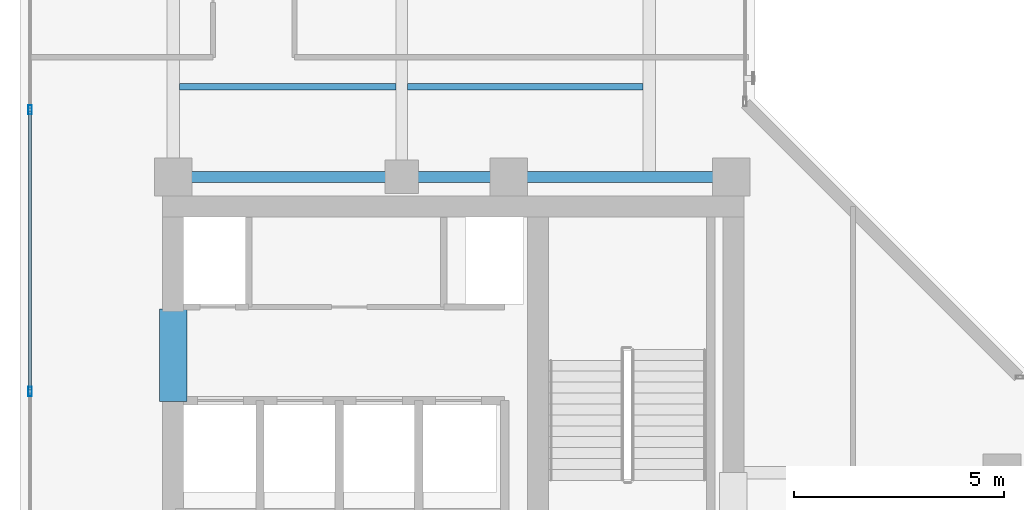
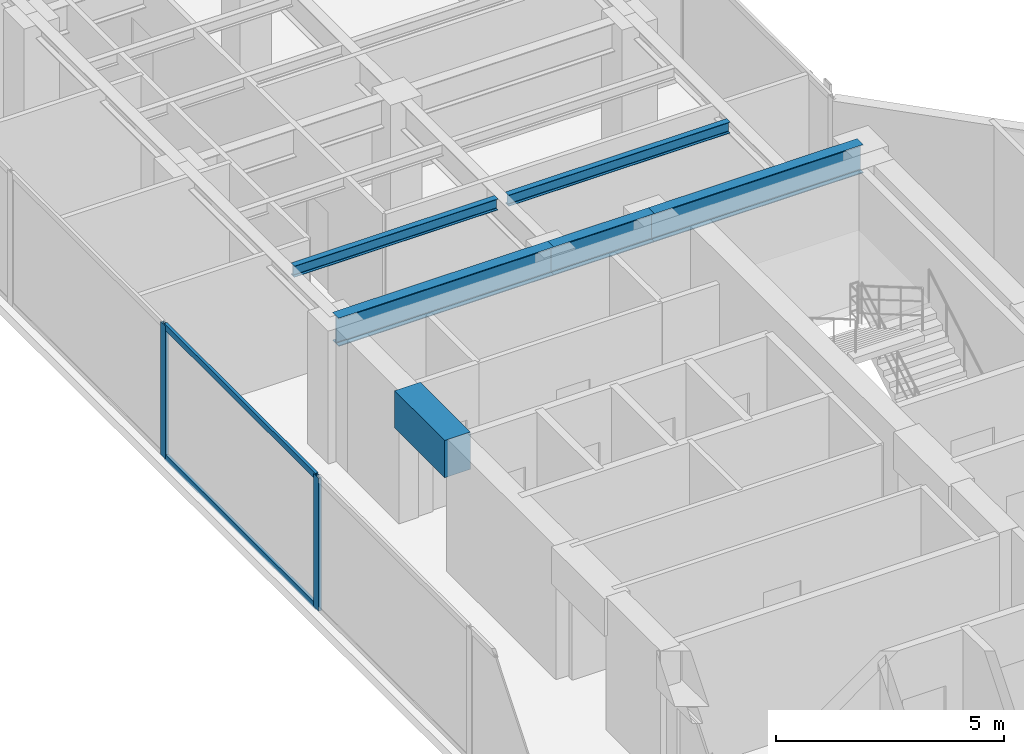
# One storey, part 7 of 24: 6 beams, 4 members, 1 element without a shape of its own.
"""IFC4 building model written with IfcOpenShell, lengths in metres."""

from ifc_helpers import new_model, si_unit, direction, frame, origin, origin_with_axes, origin_2d, place, context, subcontext, project, spatial, rectangle, hollow_rectangle, i_section, extrude, source, transform, mapped, material, layer, layer_set, material_profile, profile_set, type_object, element, aggregate, save


model = new_model("IFC4")

# Units and contexts
model_context = context("Model", 3, precision=1e-05, world=origin(), true_north=direction((0.0, 1.0)))
body_context = subcontext(model_context, "Body", "Model", "MODEL_VIEW")
ifc_project = project(units=[si_unit("LENGTHUNIT", "METRE"), si_unit("AREAUNIT", "SQUARE_METRE"), si_unit("VOLUMEUNIT", "CUBIC_METRE"), si_unit("PLANEANGLEUNIT", "RADIAN"), si_unit("MASSUNIT", "GRAM", prefix="KILO")], contexts=[model_context])

# Site, building, storey
site_placement = place(None, origin())
site = spatial("IfcSite", under=ifc_project, at=site_placement, CompositionType="ELEMENT")
building_placement = place(site_placement, origin())
building = spatial("IfcBuilding", under=site, at=building_placement, Name="Kolvaren Waterfront Exchange", CompositionType="ELEMENT")
storey_placement = place(building_placement, frame((0.0, 0.0, 293.199951171875)))
storey = spatial("IfcBuildingStorey", under=building, at=storey_placement, Name="L75", CompositionType="ELEMENT", Elevation=293.199951171875)

# Beams
ifc_material_1 = material(Name="Steel S355", Category="steel")
ifc_material_profile_1 = material_profile(ifc_material_1, i_section(OverallWidth=0.14990234375, OverallDepth=0.300048828125, WebThickness=0.007080078125, FlangeThickness=0.0107421875, FilletRadius=0.014892578125, at=origin_2d()), Name="IPE300")
ifc_profile_set_1 = profile_set([ifc_material_profile_1], Name="Steel S355")
beam_type_1 = type_object("IfcBeamType", Name="STR-BM-IPE300", PredefinedType="JOIST", material=ifc_profile_set_1)
beam_1_placement = place(storey_placement, frame((7.60205078125, 26.60009765625, 3.41015625), z_axis=(1.0, 0.0, 0.0), x_axis=(0.0, 1.0, 0.0)))
element("IfcBeam", 1, at=beam_1_placement, inside=storey, type_object=beam_type_1, Name="L75 north-arm composite joist 1A", PredefinedType="JOIST", context=body_context, shape_type="SweptSolid", body=[
    extrude(i_section(OverallWidth=0.14990234375, OverallDepth=0.300048828125, WebThickness=0.007080078125, FlangeThickness=0.0107421875, FilletRadius=0.014892578125, at=origin_2d()), origin(), (0.0, 0.0, 1.0), 5.162353515625),
])
beam_2_placement = place(storey_placement, frame((13.035400390625, 26.60009765625, 3.41015625), z_axis=(1.0, 0.0, 0.0), x_axis=(0.0, 1.0, 0.0)))
element("IfcBeam", 2, at=beam_2_placement, inside=storey, type_object=beam_type_1, Name="L75 north-arm composite joist 1B", PredefinedType="JOIST", context=body_context, shape_type="SweptSolid", body=[
    extrude(i_section(OverallWidth=0.14990234375, OverallDepth=0.300048828125, WebThickness=0.007080078125, FlangeThickness=0.0107421875, FilletRadius=0.014892578125, at=origin_2d()), origin(), (0.0, 0.0, 1.0), 5.612548828125),
])
ifc_material_profile_2 = material_profile(ifc_material_1, i_section(OverallWidth=0.26708984375, OverallDepth=0.761962890625, WebThickness=0.014404296875, FlangeThickness=0.021484375, FilletRadius=0.01708984375, at=origin_2d()), Name="IPE750x173")
ifc_profile_set_2 = profile_set([ifc_material_profile_2], Name="Steel S355")
beam_type_2 = type_object("IfcBeamType", Name="STR-BM-IPE750", PredefinedType="BEAM", material=ifc_profile_set_2)
beam_3_placement = place(storey_placement, frame((7.449951171875, 24.449951171875, 3.178955078125), z_axis=(1.0, 0.0, 0.0), x_axis=(0.0, 1.0, 0.0)))
element("IfcBeam", 3, at=beam_3_placement, inside=storey, type_object=beam_type_2, Name="L75 north-arm girder 1A", PredefinedType="BEAM", context=body_context, shape_type="SweptSolid", body=[
    extrude(i_section(OverallWidth=0.26708984375, OverallDepth=0.761962890625, WebThickness=0.014404296875, FlangeThickness=0.021484375, FilletRadius=0.01708984375, at=origin_2d()), origin(), (0.0, 0.0, 1.0), 5.449951171875),
])
beam_4_placement = place(storey_placement, frame((12.89990234375, 24.449951171875, 3.178955078125), z_axis=(1.0, 0.0, 0.0), x_axis=(0.0, 1.0, 0.0)))
element("IfcBeam", 4, at=beam_4_placement, inside=storey, type_object=beam_type_2, Name="L75 north-arm girder 1B", PredefinedType="BEAM", context=body_context, shape_type="SweptSolid", body=[
    extrude(i_section(OverallWidth=0.26708984375, OverallDepth=0.761962890625, WebThickness=0.014404296875, FlangeThickness=0.021484375, FilletRadius=0.01708984375, at=origin_2d()), origin(), (0.0, 0.0, 1.0), 2.550048828125),
])
beam_5_placement = place(storey_placement, frame((15.449951171875, 24.449951171875, 3.178955078125), z_axis=(1.0, 0.0, 0.0), x_axis=(0.0, 1.0, 0.0)))
element("IfcBeam", 5, at=beam_5_placement, inside=storey, type_object=beam_type_2, Name="L75 north-arm girder 1C", PredefinedType="BEAM", context=body_context, shape_type="SweptSolid", body=[
    extrude(i_section(OverallWidth=0.26708984375, OverallDepth=0.761962890625, WebThickness=0.014404296875, FlangeThickness=0.021484375, FilletRadius=0.01708984375, at=origin_2d()), origin(), (0.0, 0.0, 1.0), 5.300048828125),
])
ifc_material_2 = material(Name="Concrete C60/75", Category="concrete")
ifc_material_profile_3 = material_profile(ifc_material_2, rectangle(XDim=0.64990234375, YDim=1.0, at=origin_2d()), Name="RC-CB-1000x650")
ifc_profile_set_3 = profile_set([ifc_material_profile_3], Name="Concrete C60/75")
beam_type_3 = type_object("IfcBeamType", Name="STR-CB-1000", PredefinedType="SPANDREL", material=ifc_profile_set_3)
beam_6_placement = place(storey_placement, frame((7.449951171875, 19.10009765625, 3.06005859375), z_axis=(0.0, 1.0, 0.0), x_axis=(-1.0, 0.0, 0.0)))
element("IfcBeam", 6, at=beam_6_placement, inside=storey, type_object=beam_type_3, Name="L75 core coupling beam 5", PredefinedType="SPANDREL", context=body_context, shape_type="SweptSolid", body=[
    extrude(rectangle(XDim=0.64990234375, YDim=1.0, at=origin_2d()), origin(), (0.0, 0.0, 1.0), 2.199951171875),
])

# Curtain wall, members
ifc_material_3 = material(Name="Anodised aluminium 6063-T6", Category="aluminium")
ifc_layer = layer(ifc_material_3, 0.219970703125, Name="Anodised aluminium 6063-T6")
ifc_layer_set = layer_set([ifc_layer], Name="Anodised aluminium 6063-T6")
curtain_wall_type = type_object("IfcCurtainWallType", Name="ARC-CW-SYS2", PredefinedType="USERDEFINED", material=ifc_layer_set)
curtain_wall_placement = place(storey_placement, origin())
curtain_wall = element("IfcCurtainWall", 7, at=curtain_wall_placement, inside=storey, type_object=curtain_wall_type, Name="L75 stick curtain wall CW2 (CW-L75-W)", ObjectType="STICK CURTAIN WALL", PredefinedType="USERDEFINED")
ifc_material_profile_4 = material_profile(ifc_material_3, hollow_rectangle(XDim=0.080078125, YDim=0.219970703125, WallThickness=0.0048828125, at=origin_2d()), Name="ALU-MUL-220x80x5")
ifc_profile_set_4 = profile_set([ifc_material_profile_4], Name="Anodised aluminium 6063-T6")
member_type_1 = type_object("IfcMemberType", Name="ARC-CWM-220", PredefinedType="MULLION", material=ifc_profile_set_4)
shared_shape_1 = source(origin_with_axes(), body_context, "Body", "SweptSolid", [
    extrude(hollow_rectangle(XDim=0.080078125, YDim=0.219970703125, WallThickness=0.0048828125, at=origin_2d()), origin(), (0.0, 0.0, 1.0), 3.56005859375),
])
member_1_placement = place(storey_placement, frame((4.0400390625, 19.335205078125, 0.0), z_axis=(0.0, 0.0, 1.0), x_axis=(-1.0, 0.0, 0.0)))
member_1 = element("IfcMember", 8, at=member_1_placement, type_object=member_type_1, Name="CW2 mullion 3", PredefinedType="MULLION", context=body_context, shape_type="MappedRepresentation", body=[
    mapped(shared_shape_1, transform((0.0, 0.0, 0.0), x_axis=(1.0, 0.0, 0.0), y_axis=(0.0, 1.0, 0.0), z_axis=(0.0, 0.0, 1.0), scale=1.0)),
])
member_2_placement = place(storey_placement, frame((4.0400390625, 26.052734375, 0.0), z_axis=(0.0, 0.0, 1.0), x_axis=(-1.0, 0.0, 0.0)))
member_2 = element("IfcMember", 9, at=member_2_placement, type_object=member_type_1, Name="CW2 mullion 4", PredefinedType="MULLION", context=body_context, shape_type="MappedRepresentation", body=[
    mapped(shared_shape_1, transform((0.0, 0.0, 0.0), x_axis=(1.0, 0.0, 0.0), y_axis=(0.0, 1.0, 0.0), z_axis=(0.0, 0.0, 1.0), scale=1.0)),
])
ifc_material_profile_5 = material_profile(ifc_material_3, hollow_rectangle(XDim=0.074951171875, YDim=0.159912109375, WallThickness=0.00439453125, at=origin_2d()), Name="ALU-TRN-160x75x4.5")
ifc_profile_set_5 = profile_set([ifc_material_profile_5], Name="Anodised aluminium 6063-T6")
member_type_2 = type_object("IfcMemberType", Name="ARC-CWT-160", PredefinedType="USERDEFINED", material=ifc_profile_set_5)
shared_shape_2 = source(origin_with_axes(), body_context, "Body", "SweptSolid", [
    extrude(hollow_rectangle(XDim=0.074951171875, YDim=0.159912109375, WallThickness=0.00439453125, at=origin_2d()), origin(), (0.0, 0.0, 1.0), 6.6376953125),
])
member_3_placement = place(storey_placement, frame((4.0400390625, 19.375, 0.03759765625), z_axis=(0.0, 1.0, 0.0), x_axis=(-1.0, 0.0, 0.0)))
member_3 = element("IfcMember", 10, at=member_3_placement, type_object=member_type_2, Name="CW2 transom 3.1", ObjectType="TRANSOM", PredefinedType="USERDEFINED", context=body_context, shape_type="MappedRepresentation", body=[
    mapped(shared_shape_2, transform((0.0, 0.0, 0.0), x_axis=(1.0, 0.0, 0.0), y_axis=(0.0, 1.0, 0.0), z_axis=(0.0, 0.0, 1.0), scale=1.0)),
])
member_4_placement = place(storey_placement, frame((4.0400390625, 19.375, 3.5224609375), z_axis=(0.0, 1.0, 0.0), x_axis=(-1.0, 0.0, 0.0)))
member_4 = element("IfcMember", 11, at=member_4_placement, type_object=member_type_2, Name="CW2 transom 3.2", ObjectType="TRANSOM", PredefinedType="USERDEFINED", context=body_context, shape_type="MappedRepresentation", body=[
    mapped(shared_shape_2, transform((0.0, 0.0, 0.0), x_axis=(1.0, 0.0, 0.0), y_axis=(0.0, 1.0, 0.0), z_axis=(0.0, 0.0, 1.0), scale=1.0)),
])
aggregate(curtain_wall, [member_1, member_2, member_3, member_4])

save(model, "model.ifc")
